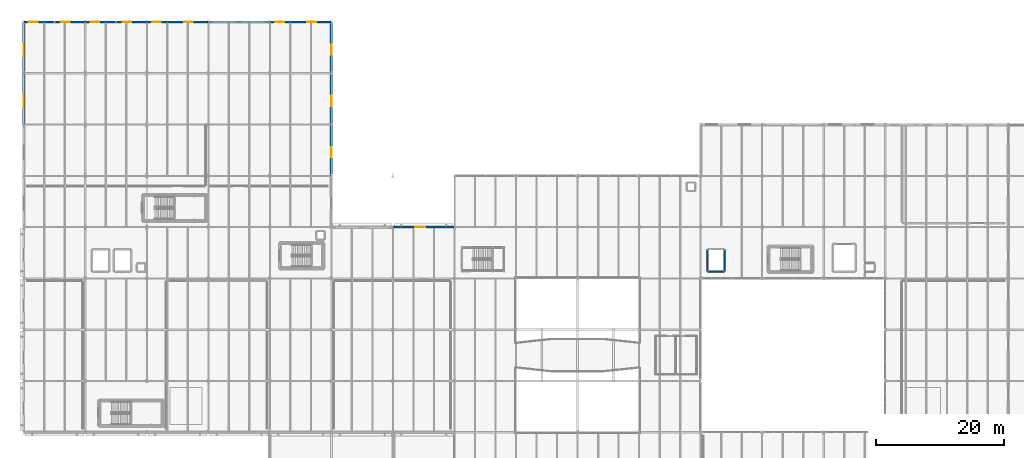
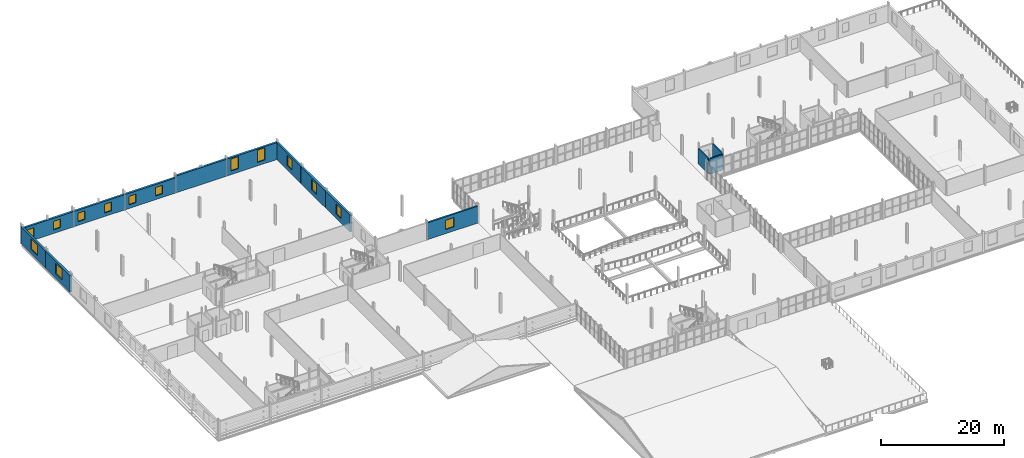
# One storey, part 74 of 85: 14 walls, 14 windows, 14 openings.
"""IFC4 building model written with IfcOpenShell, lengths in metres."""

from ifc_helpers import new_model, si_unit, direction, frame, frame_2d, origin, place, context, subcontext, project, spatial, rectangle, extrude, material, layer, layer_set, type_object, element, fill, save


model = new_model("IFC4")

# Units and contexts
model_context = context("Model", 3, precision=1e-05, world=origin(), true_north=direction((0.0, 1.0)))
body_context = subcontext(model_context, "Body", "Model", "MODEL_VIEW")
ifc_project = project(units=[si_unit("LENGTHUNIT", "METRE"), si_unit("AREAUNIT", "SQUARE_METRE"), si_unit("VOLUMEUNIT", "CUBIC_METRE"), si_unit("PLANEANGLEUNIT", "RADIAN"), si_unit("MASSUNIT", "GRAM", prefix="KILO")], contexts=[model_context])

# Site, building, storey
site_placement = place(None, origin())
site = spatial("IfcSite", under=ifc_project, at=site_placement, CompositionType="ELEMENT")
building_placement = place(site_placement, origin())
building = spatial("IfcBuilding", under=site, at=building_placement, Name="Alderhovde Museum", CompositionType="ELEMENT")
storey_placement = place(building_placement, frame((0.0, 0.0, 8.699951171875)))
storey = spatial("IfcBuildingStorey", under=building, at=storey_placement, Name="L02", CompositionType="ELEMENT", Elevation=8.699951171875)

# Wall, openings, windows
ifc_material_1 = material(Name="Fluted Jura Limestone Beaux-Arts Wall", Category="masonry")
ifc_layer_1 = layer(ifc_material_1, 0.3798828125)
ifc_layer_set_1 = layer_set([ifc_layer_1], Name="Fluted Jura Limestone Beaux-Arts Wall")
wall_type_1 = type_object("IfcWallType", Name="EW-LIME-380", PredefinedType="SOLIDWALL", material=ifc_layer_set_1)
wall_1_placement = place(storey_placement, frame((9.6201171875, 112.0, 0.0), z_axis=(0.0, 0.0, 1.0), x_axis=(1.0, 0.0, 0.0)))
wall_1 = element("IfcWall", 1, at=wall_1_placement, inside=storey, type_object=wall_type_1, Name="L02 North Wing Beaux-Arts Wall 141", PredefinedType="SOLIDWALL", context=body_context, shape_type="SweptSolid", body=[
    extrude(rectangle(XDim=9.559814453125, YDim=0.3798828125, at=frame_2d((4.77978515625, 0.0))), origin(), (0.0, 0.0, 1.0), 3.02001953125),
])
opening_1_placement = place(wall_1_placement, frame((0.800048828125, 0.0, 0.719970703125)))
opening_1 = element("IfcOpeningElement", 2, at=opening_1_placement, cuts=wall_1, Name="Opening W28", PredefinedType="OPENING", context=body_context, shape_type="SweptSolid", body=[
    extrude(rectangle(XDim=1.35009765625, YDim=1.699951171875, at=frame_2d((0.675048828125, 0.85009765625))), frame((0.0, 0.199951171875, 0.0), z_axis=(0.0, -1.0, 0.0), x_axis=(1.0, 0.0, 0.0)), (0.0, 0.0, 1.0), 0.39990234375),
])
opening_2_placement = place(wall_1_placement, frame((5.800048828125, 0.0, 0.719970703125)))
opening_2 = element("IfcOpeningElement", 3, at=opening_2_placement, cuts=wall_1, Name="Opening W28", PredefinedType="OPENING", context=body_context, shape_type="SweptSolid", body=[
    extrude(rectangle(XDim=1.35009765625, YDim=1.699951171875, at=frame_2d((0.675048828125, 0.85009765625))), frame((0.0, 0.199951171875, 0.0), z_axis=(0.0, -1.0, 0.0), x_axis=(1.0, 0.0, 0.0)), (0.0, 0.0, 1.0), 0.39990234375),
])
ifc_material_2 = material(Name="Triple-Glazed Low-E Bronze-Anodised Aluminium", Category="aluminium")
window_type_1 = type_object("IfcWindowType", Name="WIN-LAB-1350x1700", PartitioningType="SINGLE_PANEL", PredefinedType="WINDOW", material=ifc_material_2)
window_1_placement = place(opening_1_placement, origin())
window_1 = element("IfcWindow", 4, at=window_1_placement, inside=storey, type_object=window_type_1, Name="L02 Facade Window 119", OverallHeight=1.699951171875, OverallWidth=1.35009765625, PartitioningType="SINGLE_PANEL", PredefinedType="WINDOW", context=body_context, shape_type="SweptSolid", body=[
    extrude(rectangle(XDim=1.35009765625, YDim=1.699951171875, at=frame_2d((0.675048828125, 0.85009765625))), frame((0.0, 0.030029296875, 0.0), z_axis=(0.0, -1.0, 0.0), x_axis=(1.0, 0.0, 0.0)), (0.0, 0.0, 1.0), 0.06005859375),
])
fill(opening_1, window_1)
window_2_placement = place(opening_2_placement, origin())
window_2 = element("IfcWindow", 5, at=window_2_placement, inside=storey, type_object=window_type_1, Name="L02 Facade Window 120", OverallHeight=1.699951171875, OverallWidth=1.35009765625, PartitioningType="SINGLE_PANEL", PredefinedType="WINDOW", context=body_context, shape_type="SweptSolid", body=[
    extrude(rectangle(XDim=1.35009765625, YDim=1.699951171875, at=frame_2d((0.675048828125, 0.85009765625))), frame((0.0, 0.030029296875, 0.0), z_axis=(0.0, -1.0, 0.0), x_axis=(1.0, 0.0, 0.0)), (0.0, 0.0, 1.0), 0.06005859375),
])
fill(opening_2, window_2)

wall_2_placement = place(storey_placement, frame((19.219970703125, 112.0, 0.0), z_axis=(0.0, 0.0, 1.0), x_axis=(1.0, 0.0, 0.0)))
wall_2 = element("IfcWall", 6, at=wall_2_placement, inside=storey, type_object=wall_type_1, Name="L02 North Wing Beaux-Arts Wall 142", PredefinedType="SOLIDWALL", context=body_context, shape_type="SweptSolid", body=[
    extrude(rectangle(XDim=9.56005859375, YDim=0.3798828125, at=frame_2d((4.780029296875, 0.0))), origin(), (0.0, 0.0, 1.0), 3.02001953125),
])
opening_3_placement = place(wall_2_placement, frame((0.800048828125, 0.0, 0.719970703125)))
opening_3 = element("IfcOpeningElement", 7, at=opening_3_placement, cuts=wall_2, Name="Opening W28", PredefinedType="OPENING", context=body_context, shape_type="SweptSolid", body=[
    extrude(rectangle(XDim=1.35009765625, YDim=1.699951171875, at=frame_2d((0.675048828125, 0.85009765625))), frame((0.0, 0.199951171875, 0.0), z_axis=(0.0, -1.0, 0.0), x_axis=(1.0, 0.0, 0.0)), (0.0, 0.0, 1.0), 0.39990234375),
])
opening_4_placement = place(wall_2_placement, frame((5.800048828125, 0.0, 0.719970703125)))
opening_4 = element("IfcOpeningElement", 8, at=opening_4_placement, cuts=wall_2, Name="Opening W28", PredefinedType="OPENING", context=body_context, shape_type="SweptSolid", body=[
    extrude(rectangle(XDim=1.35009765625, YDim=1.699951171875, at=frame_2d((0.675048828125, 0.85009765625))), frame((0.0, 0.199951171875, 0.0), z_axis=(0.0, -1.0, 0.0), x_axis=(1.0, 0.0, 0.0)), (0.0, 0.0, 1.0), 0.39990234375),
])
window_3_placement = place(opening_3_placement, origin())
window_3 = element("IfcWindow", 9, at=window_3_placement, inside=storey, type_object=window_type_1, Name="L02 Facade Window 121", OverallHeight=1.699951171875, OverallWidth=1.35009765625, PartitioningType="SINGLE_PANEL", PredefinedType="WINDOW", context=body_context, shape_type="SweptSolid", body=[
    extrude(rectangle(XDim=1.35009765625, YDim=1.699951171875, at=frame_2d((0.675048828125, 0.85009765625))), frame((0.0, 0.030029296875, 0.0), z_axis=(0.0, -1.0, 0.0), x_axis=(1.0, 0.0, 0.0)), (0.0, 0.0, 1.0), 0.06005859375),
])
fill(opening_3, window_3)
window_4_placement = place(opening_4_placement, origin())
window_4 = element("IfcWindow", 10, at=window_4_placement, inside=storey, type_object=window_type_1, Name="L02 Facade Window 122", OverallHeight=1.699951171875, OverallWidth=1.35009765625, PartitioningType="SINGLE_PANEL", PredefinedType="WINDOW", context=body_context, shape_type="SweptSolid", body=[
    extrude(rectangle(XDim=1.35009765625, YDim=1.699951171875, at=frame_2d((0.675048828125, 0.85009765625))), frame((0.0, 0.030029296875, 0.0), z_axis=(0.0, -1.0, 0.0), x_axis=(1.0, 0.0, 0.0)), (0.0, 0.0, 1.0), 0.06005859375),
])
fill(opening_4, window_4)

wall_3_placement = place(storey_placement, frame((28.820068359375, 112.0, 0.0), z_axis=(0.0, 0.0, 1.0), x_axis=(1.0, 0.0, 0.0)))
wall_3 = element("IfcWall", 11, at=wall_3_placement, inside=storey, type_object=wall_type_1, Name="L02 North Wing Beaux-Arts Wall 143", PredefinedType="SOLIDWALL", context=body_context, shape_type="SweptSolid", body=[
    extrude(rectangle(XDim=9.559814453125, YDim=0.3798828125, at=frame_2d((4.77978515625, 0.0))), origin(), (0.0, 0.0, 1.0), 3.02001953125),
])
opening_5_placement = place(wall_3_placement, frame((0.800048828125, 0.0, 0.719970703125)))
opening_5 = element("IfcOpeningElement", 12, at=opening_5_placement, cuts=wall_3, Name="Opening W28", PredefinedType="OPENING", context=body_context, shape_type="SweptSolid", body=[
    extrude(rectangle(XDim=1.35009765625, YDim=1.699951171875, at=frame_2d((0.675048828125, 0.85009765625))), frame((0.0, 0.199951171875, 0.0), z_axis=(0.0, -1.0, 0.0), x_axis=(1.0, 0.0, 0.0)), (0.0, 0.0, 1.0), 0.39990234375),
])
opening_6_placement = place(wall_3_placement, frame((5.800048828125, 0.0, 0.719970703125)))
opening_6 = element("IfcOpeningElement", 13, at=opening_6_placement, cuts=wall_3, Name="Opening W28", PredefinedType="OPENING", context=body_context, shape_type="SweptSolid", body=[
    extrude(rectangle(XDim=1.35009765625, YDim=1.699951171875, at=frame_2d((0.675048828125, 0.85009765625))), frame((0.0, 0.199951171875, 0.0), z_axis=(0.0, -1.0, 0.0), x_axis=(1.0, 0.0, 0.0)), (0.0, 0.0, 1.0), 0.39990234375),
])
window_5_placement = place(opening_5_placement, origin())
window_5 = element("IfcWindow", 14, at=window_5_placement, inside=storey, type_object=window_type_1, Name="L02 Facade Window 123", OverallHeight=1.699951171875, OverallWidth=1.35009765625, PartitioningType="SINGLE_PANEL", PredefinedType="WINDOW", context=body_context, shape_type="SweptSolid", body=[
    extrude(rectangle(XDim=1.35009765625, YDim=1.699951171875, at=frame_2d((0.675048828125, 0.85009765625))), frame((0.0, 0.030029296875, 0.0), z_axis=(0.0, -1.0, 0.0), x_axis=(1.0, 0.0, 0.0)), (0.0, 0.0, 1.0), 0.06005859375),
])
fill(opening_5, window_5)
window_6_placement = place(opening_6_placement, origin())
window_6 = element("IfcWindow", 15, at=window_6_placement, inside=storey, type_object=window_type_1, Name="L02 Facade Window 124", OverallHeight=1.699951171875, OverallWidth=1.35009765625, PartitioningType="SINGLE_PANEL", PredefinedType="WINDOW", context=body_context, shape_type="SweptSolid", body=[
    extrude(rectangle(XDim=1.35009765625, YDim=1.699951171875, at=frame_2d((0.675048828125, 0.85009765625))), frame((0.0, 0.030029296875, 0.0), z_axis=(0.0, -1.0, 0.0), x_axis=(1.0, 0.0, 0.0)), (0.0, 0.0, 1.0), 0.06005859375),
])
fill(opening_6, window_6)

# Wall
wall_4_placement = place(storey_placement, frame((38.419921875, 112.0, 0.0), z_axis=(0.0, 0.0, 1.0), x_axis=(1.0, 0.0, 0.0)))
element("IfcWall", 16, at=wall_4_placement, inside=storey, type_object=wall_type_1, Name="L02 North Wing Beaux-Arts Wall 144", PredefinedType="SOLIDWALL", context=body_context, shape_type="SweptSolid", body=[
    extrude(rectangle(XDim=9.56005859375, YDim=0.3798828125, at=frame_2d((4.780029296875, 0.0))), origin(), (0.0, 0.0, 1.0), 3.360107421875),
])

# Wall, openings, windows
wall_5_placement = place(storey_placement, frame((48.02001953125, 112.0, 0.0), z_axis=(0.0, 0.0, 1.0), x_axis=(1.0, 0.0, 0.0)))
wall_5 = element("IfcWall", 17, at=wall_5_placement, inside=storey, type_object=wall_type_1, Name="L02 North Wing Beaux-Arts Wall 145", PredefinedType="SOLIDWALL", context=body_context, shape_type="SweptSolid", body=[
    extrude(rectangle(XDim=9.56005859375, YDim=0.3798828125, at=frame_2d((4.780029296875, 0.0))), origin(), (0.0, 0.0, 1.0), 3.360107421875),
])
opening_7_placement = place(wall_5_placement, frame((0.800048828125, 0.0, 0.719970703125)))
opening_7 = element("IfcOpeningElement", 18, at=opening_7_placement, cuts=wall_5, Name="Opening W07", PredefinedType="OPENING", context=body_context, shape_type="SweptSolid", body=[
    extrude(rectangle(XDim=1.39990234375, YDim=2.39990234375, at=frame_2d((0.699951171875, 1.199951171875))), frame((0.0, 0.199951171875, 0.0), z_axis=(0.0, -1.0, 0.0), x_axis=(1.0, 0.0, 0.0)), (0.0, 0.0, 1.0), 0.39990234375),
])
opening_8_placement = place(wall_5_placement, frame((5.800048828125, 0.0, 0.719970703125)))
opening_8 = element("IfcOpeningElement", 19, at=opening_8_placement, cuts=wall_5, Name="Opening W07", PredefinedType="OPENING", context=body_context, shape_type="SweptSolid", body=[
    extrude(rectangle(XDim=1.39990234375, YDim=2.39990234375, at=frame_2d((0.699951171875, 1.199951171875))), frame((0.0, 0.199951171875, 0.0), z_axis=(0.0, -1.0, 0.0), x_axis=(1.0, 0.0, 0.0)), (0.0, 0.0, 1.0), 0.39990234375),
])
ifc_material_3 = material(Name="Triple-Glazed Low-E Bronze-Anodised Aluminium", Category="aluminium")
window_type_2 = type_object("IfcWindowType", Name="WIN-BA-1400x2400", PartitioningType="SINGLE_PANEL", PredefinedType="WINDOW", material=ifc_material_3)
window_7_placement = place(opening_7_placement, origin())
window_7 = element("IfcWindow", 20, at=window_7_placement, inside=storey, type_object=window_type_2, Name="L02 Facade Window 125", OverallHeight=2.39990234375, OverallWidth=1.39990234375, PartitioningType="SINGLE_PANEL", PredefinedType="WINDOW", context=body_context, shape_type="SweptSolid", body=[
    extrude(rectangle(XDim=1.39990234375, YDim=2.39990234375, at=frame_2d((0.699951171875, 1.199951171875))), frame((0.0, 0.030029296875, 0.0), z_axis=(0.0, -1.0, 0.0), x_axis=(1.0, 0.0, 0.0)), (0.0, 0.0, 1.0), 0.06005859375),
])
fill(opening_7, window_7)
window_8_placement = place(opening_8_placement, origin())
window_8 = element("IfcWindow", 21, at=window_8_placement, inside=storey, type_object=window_type_2, Name="L02 Facade Window 126", OverallHeight=2.39990234375, OverallWidth=1.39990234375, PartitioningType="SINGLE_PANEL", PredefinedType="WINDOW", context=body_context, shape_type="SweptSolid", body=[
    extrude(rectangle(XDim=1.39990234375, YDim=2.39990234375, at=frame_2d((0.699951171875, 1.199951171875))), frame((0.0, 0.030029296875, 0.0), z_axis=(0.0, -1.0, 0.0), x_axis=(1.0, 0.0, 0.0)), (0.0, 0.0, 1.0), 0.06005859375),
])
fill(opening_8, window_8)

# Wall, opening, window
wall_6_placement = place(storey_placement, frame((57.60009765625, 88.02001953125, 0.0), z_axis=(0.0, 0.0, 1.0), x_axis=(0.0, 1.0, 0.0)))
wall_6 = element("IfcWall", 22, at=wall_6_placement, inside=storey, type_object=wall_type_1, Name="L02 North Wing East Wall 149", PredefinedType="SOLIDWALL", context=body_context, shape_type="SweptSolid", body=[
    extrude(rectangle(XDim=7.9599609375, YDim=0.3798828125, at=frame_2d((3.97998046875, 0.0))), origin(), (0.0, 0.0, 1.0), 3.360107421875),
])
opening_9_placement = place(wall_6_placement, frame((2.85009765625, 0.0, 0.89990234375)))
opening_9 = element("IfcOpeningElement", 23, at=opening_9_placement, cuts=wall_6, Name="Opening W17", PredefinedType="OPENING", context=body_context, shape_type="SweptSolid", body=[
    extrude(rectangle(XDim=1.60009765625, YDim=2.0, at=frame_2d((0.800048828125, 1.0))), frame((0.0, 0.199951171875, 0.0), z_axis=(0.0, -1.0, 0.0), x_axis=(1.0, 0.0, 0.0)), (0.0, 0.0, 1.0), 0.39990234375),
])
ifc_material_4 = material(Name="Triple-Glazed Low-E Bronze-Anodised Aluminium", Category="aluminium")
window_type_3 = type_object("IfcWindowType", Name="WIN-LAB-1600x2000", PartitioningType="DOUBLE_PANEL_VERTICAL", PredefinedType="WINDOW", material=ifc_material_4)
window_9_placement = place(opening_9_placement, origin())
window_9 = element("IfcWindow", 24, at=window_9_placement, inside=storey, type_object=window_type_3, Name="L02 Facade Window 130", OverallHeight=2.0, OverallWidth=1.60009765625, PartitioningType="SINGLE_PANEL", PredefinedType="WINDOW", context=body_context, shape_type="SweptSolid", body=[
    extrude(rectangle(XDim=1.60009765625, YDim=2.0, at=frame_2d((0.800048828125, 1.0))), frame((0.0, 0.030029296875, 0.0), z_axis=(0.0, -1.0, 0.0), x_axis=(1.0, 0.0, 0.0)), (0.0, 0.0, 1.0), 0.06005859375),
])
fill(opening_9, window_9)

wall_7_placement = place(storey_placement, frame((9.60009765625, 96.02001953125, 0.0), z_axis=(0.0, 0.0, 1.0), x_axis=(0.0, 1.0, 0.0)))
wall_7 = element("IfcWall", 25, at=wall_7_placement, inside=storey, type_object=wall_type_1, Name="L02 North Wing West Wall 150", PredefinedType="SOLIDWALL", context=body_context, shape_type="SweptSolid", body=[
    extrude(rectangle(XDim=7.9599609375, YDim=0.3798828125, at=frame_2d((3.97998046875, 0.0))), origin(), (0.0, 0.0, 1.0), 3.360107421875),
])
opening_10_placement = place(wall_7_placement, frame((2.60009765625, 0.0, 0.89990234375)))
opening_10 = element("IfcOpeningElement", 26, at=opening_10_placement, cuts=wall_7, Name="Opening W10", PredefinedType="OPENING", context=body_context, shape_type="SweptSolid", body=[
    extrude(rectangle(XDim=2.10009765625, YDim=2.10009765625, at=frame_2d((1.050048828125, 1.050048828125))), frame((0.0, 0.199951171875, 0.0), z_axis=(0.0, -1.0, 0.0), x_axis=(1.0, 0.0, 0.0)), (0.0, 0.0, 1.0), 0.39990234375),
])
ifc_material_5 = material(Name="Triple-Glazed Low-E Bronze-Anodised Aluminium", Category="aluminium")
window_type_4 = type_object("IfcWindowType", Name="WIN-BA-2100x2100", PartitioningType="DOUBLE_PANEL_VERTICAL", PredefinedType="WINDOW", material=ifc_material_5)
window_10_placement = place(opening_10_placement, origin())
window_10 = element("IfcWindow", 27, at=window_10_placement, inside=storey, type_object=window_type_4, Name="L02 Facade Window 131", OverallHeight=2.10009765625, OverallWidth=2.10009765625, PartitioningType="SINGLE_PANEL", PredefinedType="WINDOW", context=body_context, shape_type="SweptSolid", body=[
    extrude(rectangle(XDim=2.10009765625, YDim=2.10009765625, at=frame_2d((1.050048828125, 1.050048828125))), frame((0.0, 0.030029296875, 0.0), z_axis=(0.0, -1.0, 0.0), x_axis=(1.0, 0.0, 0.0)), (0.0, 0.0, 1.0), 0.06005859375),
])
fill(opening_10, window_10)

wall_8_placement = place(storey_placement, frame((57.60009765625, 96.02001953125, 0.0), z_axis=(0.0, 0.0, 1.0), x_axis=(0.0, 1.0, 0.0)))
wall_8 = element("IfcWall", 28, at=wall_8_placement, inside=storey, type_object=wall_type_1, Name="L02 North Wing East Wall 151", PredefinedType="SOLIDWALL", context=body_context, shape_type="SweptSolid", body=[
    extrude(rectangle(XDim=7.9599609375, YDim=0.3798828125, at=frame_2d((3.97998046875, 0.0))), origin(), (0.0, 0.0, 1.0), 3.360107421875),
])
opening_11_placement = place(wall_8_placement, frame((2.85009765625, 0.0, 0.89990234375)))
opening_11 = element("IfcOpeningElement", 29, at=opening_11_placement, cuts=wall_8, Name="Opening W17", PredefinedType="OPENING", context=body_context, shape_type="SweptSolid", body=[
    extrude(rectangle(XDim=1.60009765625, YDim=2.0, at=frame_2d((0.800048828125, 1.0))), frame((0.0, 0.199951171875, 0.0), z_axis=(0.0, -1.0, 0.0), x_axis=(1.0, 0.0, 0.0)), (0.0, 0.0, 1.0), 0.39990234375),
])
window_11_placement = place(opening_11_placement, origin())
window_11 = element("IfcWindow", 30, at=window_11_placement, inside=storey, type_object=window_type_3, Name="L02 Facade Window 132", OverallHeight=2.0, OverallWidth=1.60009765625, PartitioningType="SINGLE_PANEL", PredefinedType="WINDOW", context=body_context, shape_type="SweptSolid", body=[
    extrude(rectangle(XDim=1.60009765625, YDim=2.0, at=frame_2d((0.800048828125, 1.0))), frame((0.0, 0.030029296875, 0.0), z_axis=(0.0, -1.0, 0.0), x_axis=(1.0, 0.0, 0.0)), (0.0, 0.0, 1.0), 0.06005859375),
])
fill(opening_11, window_11)

wall_9_placement = place(storey_placement, frame((9.60009765625, 104.02001953125, 0.0), z_axis=(0.0, 0.0, 1.0), x_axis=(0.0, 1.0, 0.0)))
wall_9 = element("IfcWall", 31, at=wall_9_placement, inside=storey, type_object=wall_type_1, Name="L02 North Wing West Wall 152", PredefinedType="SOLIDWALL", context=body_context, shape_type="SweptSolid", body=[
    extrude(rectangle(XDim=7.9599609375, YDim=0.3798828125, at=frame_2d((3.97998046875, 0.0))), origin(), (0.0, 0.0, 1.0), 3.360107421875),
])
opening_12_placement = place(wall_9_placement, frame((2.60009765625, 0.0, 0.89990234375)))
opening_12 = element("IfcOpeningElement", 32, at=opening_12_placement, cuts=wall_9, Name="Opening W10", PredefinedType="OPENING", context=body_context, shape_type="SweptSolid", body=[
    extrude(rectangle(XDim=2.10009765625, YDim=2.10009765625, at=frame_2d((1.050048828125, 1.050048828125))), frame((0.0, 0.199951171875, 0.0), z_axis=(0.0, -1.0, 0.0), x_axis=(1.0, 0.0, 0.0)), (0.0, 0.0, 1.0), 0.39990234375),
])
window_12_placement = place(opening_12_placement, origin())
window_12 = element("IfcWindow", 33, at=window_12_placement, inside=storey, type_object=window_type_4, Name="L02 Facade Window 133", OverallHeight=2.10009765625, OverallWidth=2.10009765625, PartitioningType="SINGLE_PANEL", PredefinedType="WINDOW", context=body_context, shape_type="SweptSolid", body=[
    extrude(rectangle(XDim=2.10009765625, YDim=2.10009765625, at=frame_2d((1.050048828125, 1.050048828125))), frame((0.0, 0.030029296875, 0.0), z_axis=(0.0, -1.0, 0.0), x_axis=(1.0, 0.0, 0.0)), (0.0, 0.0, 1.0), 0.06005859375),
])
fill(opening_12, window_12)

wall_10_placement = place(storey_placement, frame((57.60009765625, 104.02001953125, 0.0), z_axis=(0.0, 0.0, 1.0), x_axis=(0.0, 1.0, 0.0)))
wall_10 = element("IfcWall", 34, at=wall_10_placement, inside=storey, type_object=wall_type_1, Name="L02 North Wing East Wall 153", PredefinedType="SOLIDWALL", context=body_context, shape_type="SweptSolid", body=[
    extrude(rectangle(XDim=7.9599609375, YDim=0.3798828125, at=frame_2d((3.97998046875, 0.0))), origin(), (0.0, 0.0, 1.0), 3.360107421875),
])
opening_13_placement = place(wall_10_placement, frame((2.85009765625, 0.0, 0.89990234375)))
opening_13 = element("IfcOpeningElement", 35, at=opening_13_placement, cuts=wall_10, Name="Opening W17", PredefinedType="OPENING", context=body_context, shape_type="SweptSolid", body=[
    extrude(rectangle(XDim=1.60009765625, YDim=2.0, at=frame_2d((0.800048828125, 1.0))), frame((0.0, 0.199951171875, 0.0), z_axis=(0.0, -1.0, 0.0), x_axis=(1.0, 0.0, 0.0)), (0.0, 0.0, 1.0), 0.39990234375),
])
window_13_placement = place(opening_13_placement, origin())
window_13 = element("IfcWindow", 36, at=window_13_placement, inside=storey, type_object=window_type_3, Name="L02 Facade Window 134", OverallHeight=2.0, OverallWidth=1.60009765625, PartitioningType="SINGLE_PANEL", PredefinedType="WINDOW", context=body_context, shape_type="SweptSolid", body=[
    extrude(rectangle(XDim=1.60009765625, YDim=2.0, at=frame_2d((0.800048828125, 1.0))), frame((0.0, 0.030029296875, 0.0), z_axis=(0.0, -1.0, 0.0), x_axis=(1.0, 0.0, 0.0)), (0.0, 0.0, 1.0), 0.06005859375),
])
fill(opening_13, window_13)

ifc_material_6 = material(Name="Insulated Zinc-Clad Backing Wall")
ifc_layer_2 = layer(ifc_material_6, 0.300048828125)
ifc_layer_set_2 = layer_set([ifc_layer_2], Name="Insulated Zinc-Clad Backing Wall")
wall_type_2 = type_object("IfcWallType", Name="EW-ZINC-300", PredefinedType="SOLIDWALL", material=ifc_layer_set_2)
wall_11_placement = place(storey_placement, frame((67.219970703125, 80.0, 0.0), z_axis=(0.0, 0.0, 1.0), x_axis=(1.0, 0.0, 0.0)))
wall_11 = element("IfcWall", 37, at=wall_11_placement, inside=storey, type_object=wall_type_2, Name="L02 Folded Wing North Wall 30", PredefinedType="SOLIDWALL", context=body_context, shape_type="SweptSolid", body=[
    extrude(rectangle(XDim=9.56005859375, YDim=0.300048828125, at=frame_2d((4.780029296875, 0.0))), origin(), (0.0, 0.0, 1.0), 3.360107421875),
])
opening_14_placement = place(wall_11_placement, frame((3.449951171875, 0.0, 0.85009765625)))
opening_14 = element("IfcOpeningElement", 38, at=opening_14_placement, cuts=wall_11, Name="Opening W12", PredefinedType="OPENING", context=body_context, shape_type="SweptSolid", body=[
    extrude(rectangle(XDim=1.60009765625, YDim=1.800048828125, at=frame_2d((0.800048828125, 0.89990234375))), frame((0.0, 0.159912109375, 0.0), z_axis=(0.0, -1.0, 0.0), x_axis=(1.0, 0.0, 0.0)), (0.0, 0.0, 1.0), 0.320068359375),
])
ifc_material_7 = material(Name="Triple-Glazed Low-E Bronze-Anodised Aluminium", Category="aluminium")
window_type_5 = type_object("IfcWindowType", Name="WIN-ATT-1600x1800", PartitioningType="DOUBLE_PANEL_VERTICAL", PredefinedType="WINDOW", material=ifc_material_7)
window_14_placement = place(opening_14_placement, origin())
window_14 = element("IfcWindow", 39, at=window_14_placement, inside=storey, type_object=window_type_5, Name="L02 Facade Window 18", OverallHeight=1.800048828125, OverallWidth=1.60009765625, PartitioningType="SINGLE_PANEL", PredefinedType="WINDOW", context=body_context, shape_type="SweptSolid", body=[
    extrude(rectangle(XDim=1.60009765625, YDim=1.800048828125, at=frame_2d((0.800048828125, 0.89990234375))), frame((0.0, 0.030029296875, 0.0), z_axis=(0.0, -1.0, 0.0), x_axis=(1.0, 0.0, 0.0)), (0.0, 0.0, 1.0), 0.06005859375),
])
fill(opening_14, window_14)

# Walls
ifc_material_8 = material(Name="Concrete C40/50 and Fireboard Shaft Wall", Category="concrete")
ifc_layer_3 = layer(ifc_material_8, 0.22998046875)
ifc_layer_set_3 = layer_set([ifc_layer_3], Name="Concrete C40/50 and Fireboard Shaft Wall")
wall_type_3 = type_object("IfcWallType", Name="IW-SHAFT-230", PredefinedType="SOLIDWALL", material=ifc_layer_set_3)
wall_12_placement = place(storey_placement, frame((116.340087890625, 73.06005859375, 0.0), z_axis=(0.0, 0.0, 1.0), x_axis=(1.0, 0.0, 0.0)))
element("IfcWall", 40, at=wall_12_placement, inside=storey, type_object=wall_type_3, Name="L02 Passenger Lift PL-03 Shaft Wall South", PredefinedType="SOLIDWALL", context=body_context, shape_type="SweptSolid", body=[
    extrude(rectangle(XDim=2.52001953125, YDim=0.22998046875, at=frame_2d((1.260009765625, 0.0))), origin(), (0.0, 0.0, 1.0), 3.10009765625),
])
for number, where, z_axis, x_axis, name in (
    (41, (116.260009765625, 73.139892578125, 0.0), (0.0, 0.0, 1.0), (0.0, 1.0, 0.0), "L02 Passenger Lift PL-03 Shaft Wall West"),
    (42, (118.93994140625, 73.139892578125, 0.0), (0.0, 0.0, 1.0), (0.0, 1.0, 0.0), "L02 Passenger Lift PL-03 Shaft Wall East"),
):
    element("IfcWall", number, at=place(storey_placement, frame(where, z_axis=z_axis, x_axis=x_axis)), inside=storey, type_object=wall_type_3, Name=name, PredefinedType="SOLIDWALL", context=body_context, shape_type="SweptSolid", body=[
        extrude(rectangle(XDim=3.320068359375, YDim=0.22998046875, at=frame_2d((1.66015625, 0.0))), origin(), (0.0, 0.0, 1.0), 3.10009765625),
    ])

save(model, "model.ifc")
